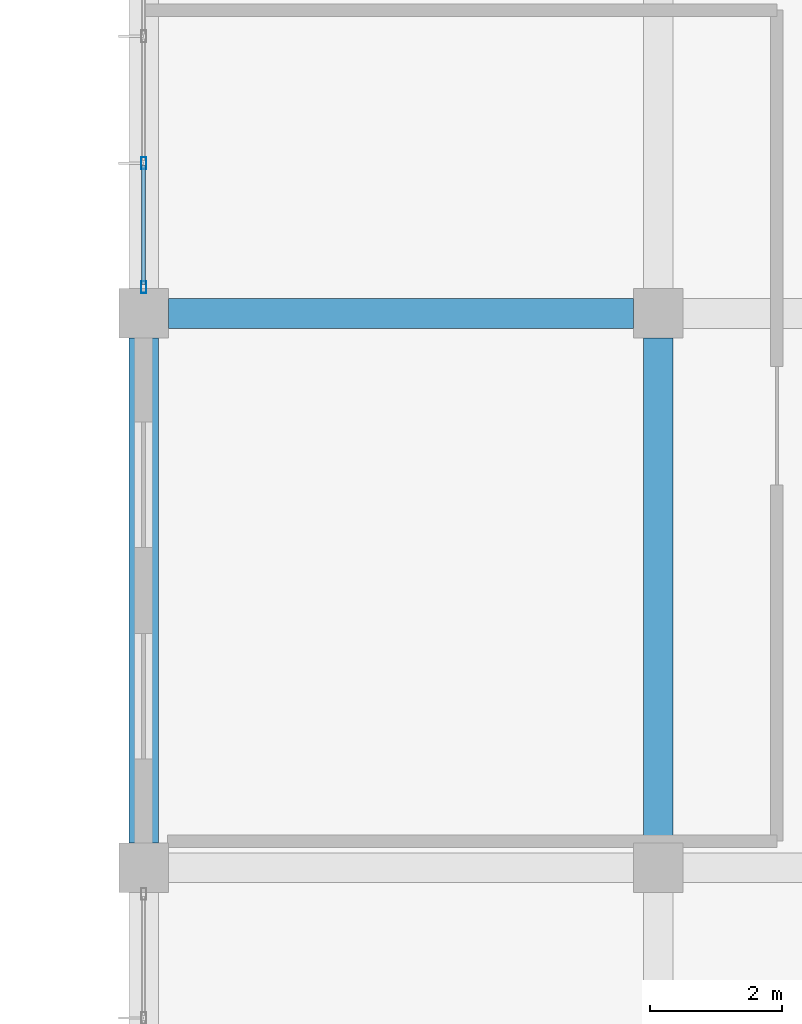
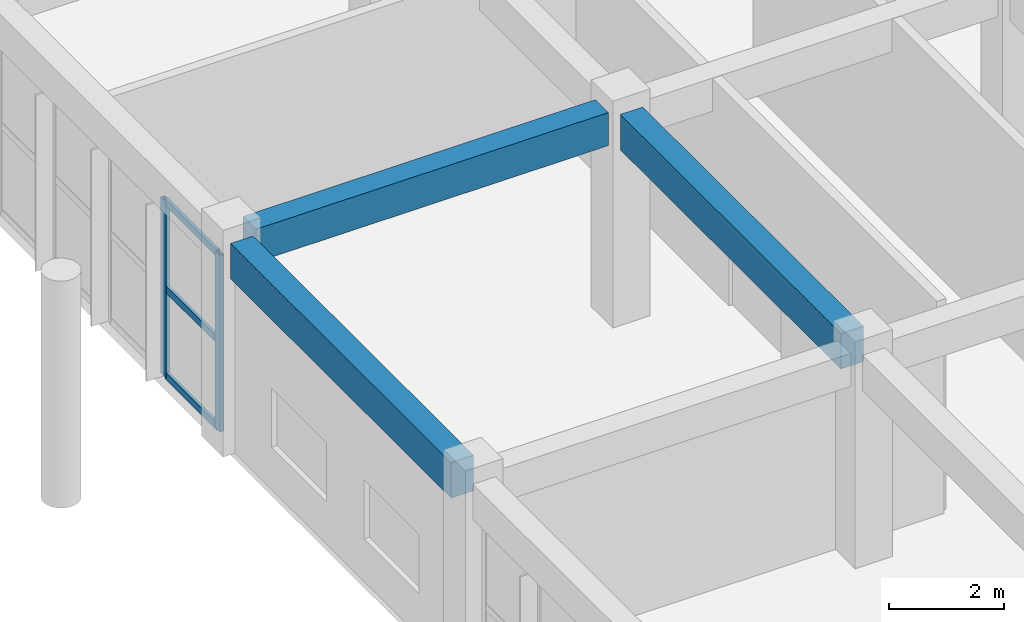
# One storey, part 50 of 167: 5 members, 3 beams, 1 element without a shape of its own.
"""IFC4 building model written with IfcOpenShell, lengths in metres."""

import ifcopenshell
import ifcopenshell.guid

model = None  # the IFC model being written
_history = None  # IfcOwnerHistory: only IFC2X3 demands one
_inside = {}  # id of a spatial element -> (the spatial element, [elements in it])
_under = {}  # id of a project, library or spatial element -> (it, [spatial elements below it])
_declared = {}  # id of a project -> (the project, [libraries it declares])
_typed = {}  # id of a type object -> (the type object, [elements of that type])
_made_of = {}  # id of a material, layer set ... -> (it, [elements and type objects made of it])


def new_model(schema):
    """Start an empty IFC model of exactly this schema.

    Asked for "IFC4X3", IfcOpenShell would pick the latest addendum, in which some entities
    have other attributes; the version numbers below select the first issue.
    IFC2X3 requires an IfcOwnerHistory on every rooted entity: one is made here for all.
    """
    global model, _history
    if schema == "IFC4X3":
        model = ifcopenshell.file(schema_version=(4, 3, 0, 0))
    else:
        model = ifcopenshell.file(schema=schema)
    _inside.clear()
    _under.clear()
    _declared.clear()
    _typed.clear()
    _made_of.clear()
    _history = None
    if model.schema == "IFC2X3":
        org = make("IfcOrganization", Name="unknown")
        user = make(
            "IfcPersonAndOrganization",
            ThePerson=make("IfcPerson", FamilyName="unknown"),
            TheOrganization=org,
        )
        app = make(
            "IfcApplication",
            ApplicationDeveloper=org,
            Version="unknown",
            ApplicationFullName="unknown",
            ApplicationIdentifier="unknown",
        )
        _history = make(
            "IfcOwnerHistory",
            OwningUser=user,
            OwningApplication=app,
            ChangeAction="ADDED",
            CreationDate=0,
        )
    return model


def make(cls, **values):
    """One entity of the class cls with the attributes given. An attribute that is None is left unset."""
    return model.create_entity(
        cls, **{name: value for name, value in values.items() if value is not None}
    )


def rooted(cls, **values):
    """An entity with a GlobalId (a new one), such as an element, a storey or a relation."""
    return make(cls, GlobalId=ifcopenshell.guid.new(), OwnerHistory=_history, **values)


def si_unit(unit_type, name, prefix=None):
    """IfcSIUnit, for example si_unit("LENGTHUNIT", "METRE", prefix="MILLI")."""
    return make("IfcSIUnit", UnitType=unit_type, Prefix=prefix, Name=name)


def assignment(units):
    """IfcUnitAssignment: the units of a project."""
    return None if units is None else make("IfcUnitAssignment", Units=units)


def point(xyz):
    """IfcCartesianPoint."""
    return None if xyz is None else make("IfcCartesianPoint", Coordinates=xyz)


def direction(xyz):
    """IfcDirection."""
    return None if xyz is None else make("IfcDirection", DirectionRatios=xyz)


def frame(location, z_axis=None, x_axis=None):
    """IfcAxis2Placement3D, a coordinate frame: its origin and axes. An axis left out is left unset."""
    return make(
        "IfcAxis2Placement3D",
        Location=point(location),
        Axis=direction(z_axis),
        RefDirection=direction(x_axis),
    )


def frame_2d(location, x_axis=None):
    """IfcAxis2Placement2D, a coordinate frame in the plane: its origin and x axis."""
    return make(
        "IfcAxis2Placement2D", Location=point(location), RefDirection=direction(x_axis)
    )


def origin():
    """The frame at (0, 0, 0) with its axes left unset."""
    return frame((0.0, 0.0, 0.0))


def origin_2d():
    """The frame at (0, 0) in the plane with its x axis left unset."""
    return frame_2d((0.0, 0.0))


def place(relative_to, where):
    """IfcLocalPlacement: puts the frame where relative to a parent placement (None: the world)."""
    return make(
        "IfcLocalPlacement", PlacementRelTo=relative_to, RelativePlacement=where
    )


def context(
    kind, dimensions, precision=None, world=None, true_north=None, identifier=None
):
    """IfcGeometricRepresentationContext, for example the 3D "Model" context."""
    return make(
        "IfcGeometricRepresentationContext",
        ContextIdentifier=identifier,
        ContextType=kind,
        CoordinateSpaceDimension=dimensions,
        Precision=precision,
        WorldCoordinateSystem=world,
        TrueNorth=true_north,
    )


def subcontext(parent, identifier, kind, view, scale=None):
    """IfcGeometricRepresentationSubContext, for example "Body" below "Model"."""
    return make(
        "IfcGeometricRepresentationSubContext",
        ContextIdentifier=identifier,
        ContextType=kind,
        ParentContext=parent,
        TargetScale=scale,
        TargetView=view,
    )


def project(units=None, contexts=None):
    """IfcProject with its units and contexts."""
    return rooted(
        "IfcProject",
        Name="project",
        RepresentationContexts=contexts,
        UnitsInContext=assignment(units),
    )


def spatial(cls, under=None, at=None, **own):
    """A site, building, storey or space (cls), placed at a placement, below another one or the project."""
    s = rooted(cls, ObjectPlacement=at, **own)
    if under is not None:
        _under.setdefault(under.id(), (under, []))[1].append(s)
    return s


def profile(cls, at=None, kind="AREA", **sizes):
    """A parametric profile (cls). Its sizes go by their IFC names, for example OverallWidth=200.0."""
    return make(cls, ProfileType=kind, Position=at, **sizes)


def rectangle(**sizes):
    """IfcRectangleProfileDef."""
    return profile("IfcRectangleProfileDef", **sizes)


def hollow_rectangle(**sizes):
    """IfcRectangleHollowProfileDef."""
    return profile("IfcRectangleHollowProfileDef", **sizes)


def extrude(swept, where, along, depth):
    """IfcExtrudedAreaSolid: the profile swept, set in the frame where, extruded along a direction by depth."""
    return make(
        "IfcExtrudedAreaSolid",
        SweptArea=swept,
        Position=where,
        ExtrudedDirection=direction(along),
        Depth=depth,
    )


def shape(context_of_items, identifier, shape_type, items):
    """IfcShapeRepresentation: the items that make up one representation, for example the "Body"."""
    return make(
        "IfcShapeRepresentation",
        ContextOfItems=context_of_items,
        RepresentationIdentifier=identifier,
        RepresentationType=shape_type,
        Items=items,
    )


def material(Name=None, Category=None):
    """IfcMaterial."""
    return make("IfcMaterial", Name=Name, Category=Category)


def layer(
    of_material, thickness, ventilated=None, Name=None, Category=None, Priority=None
):
    """IfcMaterialLayer: one layer of a wall or slab, of a material (None: an air gap)."""
    return make(
        "IfcMaterialLayer",
        Material=of_material,
        LayerThickness=thickness,
        IsVentilated=ventilated,
        Name=Name,
        Category=Category,
        Priority=Priority,
    )


def layer_set(layers, Name=None):
    """IfcMaterialLayerSet."""
    return make("IfcMaterialLayerSet", MaterialLayers=layers, LayerSetName=Name)


def material_profile(
    of_material, cross_section, Name=None, Category=None, Priority=None
):
    """IfcMaterialProfile: a cross section and its material."""
    return make(
        "IfcMaterialProfile",
        Name=Name,
        Material=of_material,
        Profile=cross_section,
        Priority=Priority,
        Category=Category,
    )


def profile_set(profiles, Name=None, composite=None):
    """IfcMaterialProfileSet."""
    return make(
        "IfcMaterialProfileSet",
        Name=Name,
        MaterialProfiles=profiles,
        CompositeProfile=composite,
    )


def made_of(thing, what):
    """Note that an element or type object is made of a material, layer set ...; save() writes the relation."""
    if what is not None:
        _made_of.setdefault(what.id(), (what, []))[1].append(thing)
    return thing


def type_object(cls, material=None, **own):
    """A type object (cls), such as IfcWallType, which elements share."""
    return made_of(rooted(cls, **own), material)


def element(
    cls,
    number,
    at=None,
    inside=None,
    cuts=None,
    type_object=None,
    material=None,
    context=None,
    identifier="Body",
    shape_type=None,
    held_by="IfcProductDefinitionShape",
    body=None,
    shapes=None,
    **own,
):
    """One element of the class cls, such as IfcWall. Its Tag is "e" and its number.

    at: its placement. inside: the storey or other place that contains it. cuts: it is an
    opening in that element (IfcRelVoidsElement). A single representation is given by context,
    identifier, shape_type and body (its items); several are given by shapes. held_by: the class
    of the entity that holds the representations. save() writes the other relations.
    """
    e = rooted(cls, Tag="e%d" % number, ObjectPlacement=at, **own)
    if body is not None:
        shapes = [shape(context, identifier, shape_type, body)]
    if shapes is not None:
        e.Representation = make(held_by, Representations=shapes)
    if inside is not None:
        _inside.setdefault(inside.id(), (inside, []))[1].append(e)
    if cuts is not None:
        rooted(
            "IfcRelVoidsElement", RelatingBuildingElement=cuts, RelatedOpeningElement=e
        )
    if type_object is not None:
        _typed.setdefault(type_object.id(), (type_object, []))[1].append(e)
    return made_of(e, material)


def aggregate(whole, parts):
    """IfcRelAggregates: a whole, such as a stair, and the parts it consists of."""
    return rooted("IfcRelAggregates", RelatingObject=whole, RelatedObjects=parts)


def save(model, path):
    """Write the relations noted so far, then the file.

    IfcRelAggregates (storeys below a building ...), IfcRelContainedInSpatialStructure (elements
    in a storey), IfcRelDefinesByType, IfcRelAssociatesMaterial and IfcRelDeclares: one each for
    every whole, place, type object, material and project.
    """
    for whole, parts in _under.values():
        aggregate(whole, parts)
    for where, things in _inside.values():
        rooted(
            "IfcRelContainedInSpatialStructure",
            RelatedElements=things,
            RelatingStructure=where,
        )
    for kind, things in _typed.values():
        rooted("IfcRelDefinesByType", RelatedObjects=things, RelatingType=kind)
    for what, things in _made_of.values():
        rooted("IfcRelAssociatesMaterial", RelatedObjects=things, RelatingMaterial=what)
    for by, libraries in _declared.values():
        rooted("IfcRelDeclares", RelatingContext=by, RelatedDefinitions=libraries)
    model.write(path)


model = new_model("IFC4")

# Units and contexts
model_context = context("Model", 3, precision=1e-05, world=origin(), true_north=direction((0.0, 1.0)))
body_context = subcontext(model_context, "Body", "Model", "MODEL_VIEW")
ifc_project = project(units=[si_unit("LENGTHUNIT", "METRE"), si_unit("AREAUNIT", "SQUARE_METRE"), si_unit("VOLUMEUNIT", "CUBIC_METRE"), si_unit("PLANEANGLEUNIT", "RADIAN"), si_unit("MASSUNIT", "GRAM", prefix="KILO")], contexts=[model_context])

# Site, building, storey
site_placement = place(None, origin())
site = spatial("IfcSite", under=ifc_project, at=site_placement, CompositionType="ELEMENT")
building_placement = place(site_placement, origin())
building = spatial("IfcBuilding", under=site, at=building_placement, Name="Zizhar Promenade General Hospital", CompositionType="ELEMENT")
storey_placement = place(building_placement, frame((0.0, 0.0, 9.60009765625)))
storey = spatial("IfcBuildingStorey", under=building, at=storey_placement, Name="L02", CompositionType="ELEMENT", Elevation=9.60009765625)

# Beams
ifc_material_1 = material(Name="Concrete C35/45", Category="concrete")
ifc_material_profile_1 = material_profile(ifc_material_1, rectangle(XDim=0.449951171875, YDim=0.699951171875, at=origin_2d()))
ifc_profile_set_1 = profile_set([ifc_material_profile_1], Name="Concrete C35/45")
beam_type_1 = type_object("IfcBeamType", Name="BM-RC-450x700", PredefinedType="BEAM", material=ifc_profile_set_1)
beam_placement = place(storey_placement, frame((47.175048828125, 100.800048828125, 4.119873046875), z_axis=(1.0, 0.0, 0.0), x_axis=(0.0, 1.0, 0.0)))
element("IfcBeam", 1, at=beam_placement, inside=storey, type_object=beam_type_1, Name="Grid Beam X L02 (6-12)", PredefinedType="BEAM", context=body_context, shape_type="SweptSolid", body=[
    extrude(rectangle(XDim=0.449951171875, YDim=0.699951171875, at=origin_2d()), origin(), (0.0, 0.0, 1.0), 7.050048828125),
])
ifc_material_2 = material(Name="Concrete C35/45", Category="concrete")
ifc_material_profile_2 = material_profile(ifc_material_2, rectangle(XDim=0.449951171875, YDim=0.75, at=origin_2d()))
ifc_profile_set_2 = profile_set([ifc_material_profile_2], Name="Concrete C35/45")
beam_type_2 = type_object("IfcBeamType", Name="BM-RC-450x750", PredefinedType="BEAM", material=ifc_profile_set_2)
for number, where, z_axis, x_axis, name in (
    (2, (46.800048828125, 92.77490234375, 4.094970703125), (0.0, 1.0, 0.0), (-1.0, 0.0, 0.0), "Grid Beam Y L02 (6-11)"),
    (3, (54.60009765625, 92.77490234375, 4.094970703125), (0.0, 1.0, 0.0), (-1.0, 0.0, 0.0), "Grid Beam Y L02 (7-11)"),
):
    element("IfcBeam", number, at=place(storey_placement, frame(where, z_axis=z_axis, x_axis=x_axis)), inside=storey, type_object=beam_type_2, Name=name, PredefinedType="BEAM", context=body_context, shape_type="SweptSolid", body=[
        extrude(rectangle(XDim=0.449951171875, YDim=0.75, at=origin_2d()), origin(), (0.0, 0.0, 1.0), 7.650146484375),
    ])

# Curtain wall, members
ifc_material_3 = material(Name="Anodised aluminium 6063-T6 and low-E glass", Category="aluminium")
ifc_layer = layer(ifc_material_3, 0.159912109375)
ifc_layer_set = layer_set([ifc_layer], Name="Anodised aluminium 6063-T6 and low-E glass")
curtain_wall_type = type_object("IfcCurtainWallType", Name="CW-DT-MOD1", PredefinedType="NOTDEFINED", material=ifc_layer_set)
curtain_wall_placement = place(storey_placement, origin())
curtain_wall = element("IfcCurtainWall", 4, at=curtain_wall_placement, inside=storey, type_object=curtain_wall_type, Name="Surgical West Glazed Curtain Wall L02-12", PredefinedType="NOTDEFINED")
ifc_material_4 = material(Name="Anodised aluminium 6063-T6", Category="aluminium")
ifc_material_profile_3 = material_profile(ifc_material_4, hollow_rectangle(XDim=0.080078125, YDim=0.179931640625, WallThickness=0.0048828125, at=origin_2d()))
ifc_profile_set_3 = profile_set([ifc_material_profile_3], Name="Anodised aluminium 6063-T6")
member_type_1 = type_object("IfcMemberType", Name="CWM-ALU-180x80", PredefinedType="MULLION", material=ifc_profile_set_3)
member_1_placement = place(storey_placement, frame((46.800048828125, 101.199951171875, 0.0), z_axis=(0.0, 0.0, 1.0), x_axis=(-1.0, 0.0, 0.0)))
member_1 = element("IfcMember", 5, at=member_1_placement, type_object=member_type_1, Name="CW-07 mullion 1", PredefinedType="MULLION", context=body_context, shape_type="SweptSolid", body=[
    extrude(hollow_rectangle(XDim=0.080078125, YDim=0.179931640625, WallThickness=0.0048828125, at=origin_2d()), origin(), (0.0, 0.0, 1.0), 3.72998046875),
])
member_2_placement = place(storey_placement, frame((46.800048828125, 103.080078125, 0.0), z_axis=(0.0, 0.0, 1.0), x_axis=(-1.0, 0.0, 0.0)))
member_2 = element("IfcMember", 6, at=member_2_placement, type_object=member_type_1, Name="CW-07 mullion 2", PredefinedType="MULLION", context=body_context, shape_type="SweptSolid", body=[
    extrude(hollow_rectangle(XDim=0.080078125, YDim=0.179931640625, WallThickness=0.0048828125, at=origin_2d()), origin(), (0.0, 0.0, 1.0), 3.72998046875),
])
ifc_material_5 = material(Name="Anodised aluminium 6063-T6", Category="aluminium")
ifc_material_profile_4 = material_profile(ifc_material_5, hollow_rectangle(XDim=0.06005859375, YDim=0.14990234375, WallThickness=0.00390625, at=origin_2d()))
ifc_profile_set_4 = profile_set([ifc_material_profile_4], Name="Anodised aluminium 6063-T6")
member_type_2 = type_object("IfcMemberType", Name="CWT-ALU-150x60", PredefinedType="USERDEFINED", material=ifc_profile_set_4)
member_3_placement = place(storey_placement, frame((46.800048828125, 101.239990234375, 0.02978515625), z_axis=(0.0, 1.0, 0.0), x_axis=(-1.0, 0.0, 0.0)))
member_3 = element("IfcMember", 7, at=member_3_placement, type_object=member_type_2, Name="CW-07 transom 1.1", ObjectType="TRANSOM", PredefinedType="USERDEFINED", context=body_context, shape_type="SweptSolid", body=[
    extrude(hollow_rectangle(XDim=0.06005859375, YDim=0.14990234375, WallThickness=0.00390625, at=origin_2d()), origin(), (0.0, 0.0, 1.0), 1.800048828125),
])
member_4_placement = place(storey_placement, frame((46.800048828125, 101.239990234375, 1.864990234375), z_axis=(0.0, 1.0, 0.0), x_axis=(-1.0, 0.0, 0.0)))
member_4 = element("IfcMember", 8, at=member_4_placement, type_object=member_type_2, Name="CW-07 transom 1.2", ObjectType="TRANSOM", PredefinedType="USERDEFINED", context=body_context, shape_type="SweptSolid", body=[
    extrude(hollow_rectangle(XDim=0.06005859375, YDim=0.14990234375, WallThickness=0.00390625, at=origin_2d()), origin(), (0.0, 0.0, 1.0), 1.800048828125),
])
member_5_placement = place(storey_placement, frame((46.800048828125, 101.239990234375, 3.699951171875), z_axis=(0.0, 1.0, 0.0), x_axis=(-1.0, 0.0, 0.0)))
member_5 = element("IfcMember", 9, at=member_5_placement, type_object=member_type_2, Name="CW-07 transom 1.3", ObjectType="TRANSOM", PredefinedType="USERDEFINED", context=body_context, shape_type="SweptSolid", body=[
    extrude(hollow_rectangle(XDim=0.06005859375, YDim=0.14990234375, WallThickness=0.00390625, at=origin_2d()), origin(), (0.0, 0.0, 1.0), 1.800048828125),
])
aggregate(curtain_wall, [member_1, member_2, member_3, member_4, member_5])

save(model, "model.ifc")
